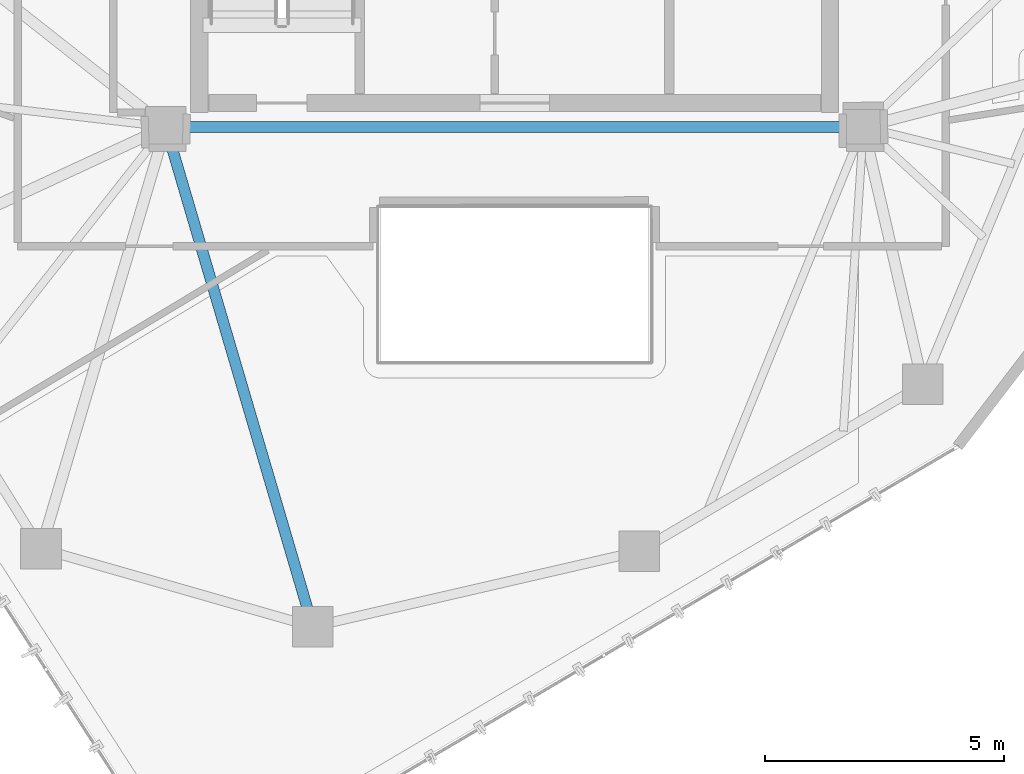
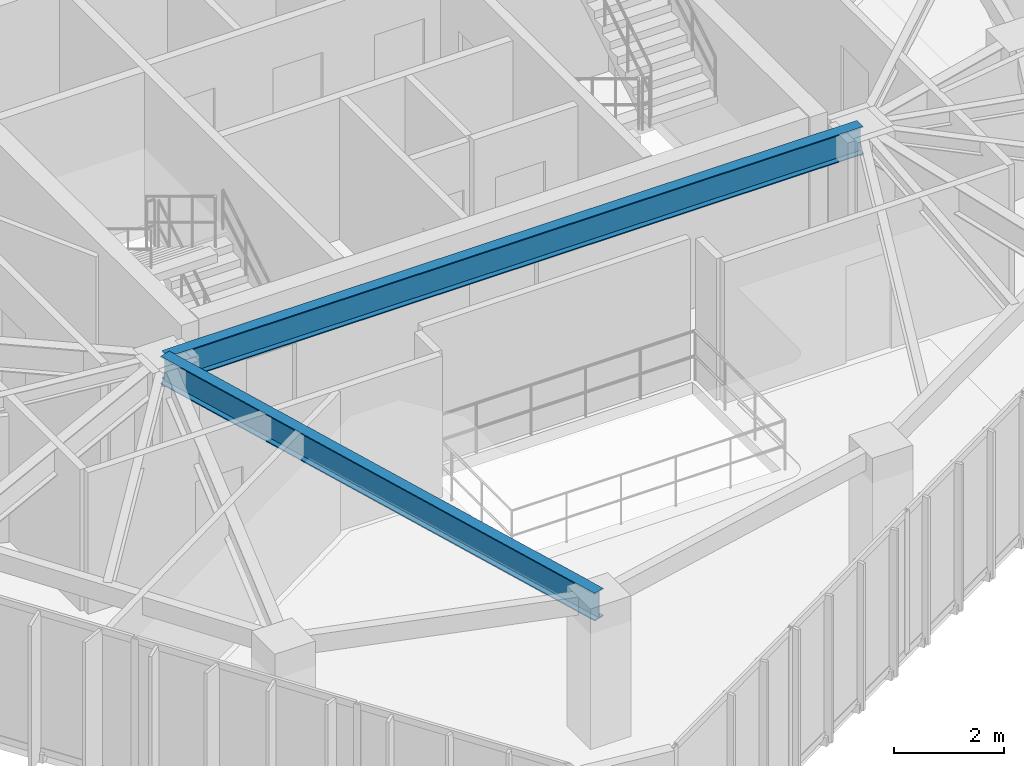
# One storey, part 5 of 20: 2 beams.
"""IFC4 building model written with IfcOpenShell, lengths in metres."""

from ifc_helpers import new_model, si_unit, direction, frame, origin, origin_2d, place, context, subcontext, project, spatial, i_section, extrude, material, material_profile, profile_set, type_object, element, save


model = new_model("IFC4")

# Units and contexts
model_context = context("Model", 3, precision=1e-05, world=origin(), true_north=direction((0.0, 1.0)))
body_context = subcontext(model_context, "Body", "Model", "MODEL_VIEW")
ifc_project = project(units=[si_unit("LENGTHUNIT", "METRE"), si_unit("AREAUNIT", "SQUARE_METRE"), si_unit("VOLUMEUNIT", "CUBIC_METRE"), si_unit("PLANEANGLEUNIT", "RADIAN"), si_unit("MASSUNIT", "GRAM", prefix="KILO")], contexts=[model_context])

# Site, building, storey
site_placement = place(None, origin())
site = spatial("IfcSite", under=ifc_project, at=site_placement, CompositionType="ELEMENT")
building_placement = place(site_placement, origin())
building = spatial("IfcBuilding", under=site, at=building_placement, Name="Talar Marvaseh", CompositionType="ELEMENT")
storey_placement = place(building_placement, frame((0.0, 0.0, 254.39990234375)))
storey = spatial("IfcBuildingStorey", under=building, at=storey_placement, Name="L67", CompositionType="ELEMENT", Elevation=254.39990234375)

# Beams
ifc_material = material(Name="Steel S355", Category="steel")
ifc_material_profile = material_profile(ifc_material, i_section(OverallWidth=0.22998046875, OverallDepth=0.616943359375, WebThickness=0.01318359375, FlangeThickness=0.022216796875, at=origin_2d()), Name="W610x140")
ifc_profile_set = profile_set([ifc_material_profile], Name="Steel S355")
beam_type = type_object("IfcBeamType", Name="Zone 4 Radial Floor Girder W610x140", PredefinedType="BEAM", material=ifc_profile_set)
beam_1_placement = place(storey_placement, frame((18.699951171875, 25.5, 2.83154296875), z_axis=(1.0, 0.0, 0.0), x_axis=(0.0, 1.0, 0.0)))
element("IfcBeam", 1, at=beam_1_placement, inside=storey, type_object=beam_type, Name="L67 Zone 4 Radial Floor Girder W610x140", PredefinedType="BEAM", context=body_context, shape_type="SweptSolid", body=[
    extrude(i_section(OverallWidth=0.22998046875, OverallDepth=0.616943359375, WebThickness=0.01318359375, FlangeThickness=0.022216796875, at=origin_2d()), origin(), (0.0, 0.0, 1.0), 14.60009765625),
])
beam_2_placement = place(storey_placement, frame((21.77587890625, 15.0400390625, 2.83154296875), z_axis=(-0.28212146763, 0.959378693479, 0.0), x_axis=(-0.959378693479, -0.28212146763, 0.0)))
element("IfcBeam", 2, at=beam_2_placement, inside=storey, type_object=beam_type, Name="L67 Zone 4 Radial Floor Girder W610x140", PredefinedType="BEAM", context=body_context, shape_type="SweptSolid", body=[
    extrude(i_section(OverallWidth=0.22998046875, OverallDepth=0.616943359375, WebThickness=0.01318359375, FlangeThickness=0.022216796875, at=origin_2d()), origin(), (0.0, 0.0, 1.0), 10.90283203125),
])

save(model, "model.ifc")
